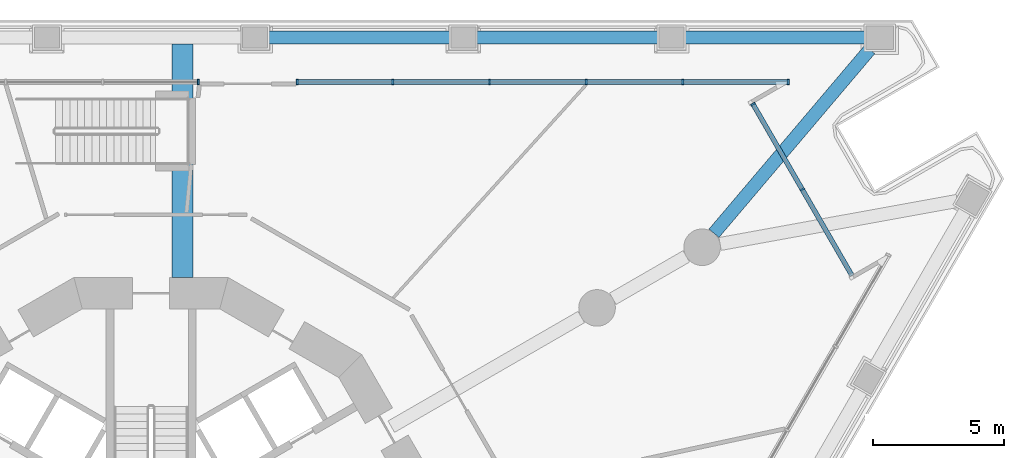
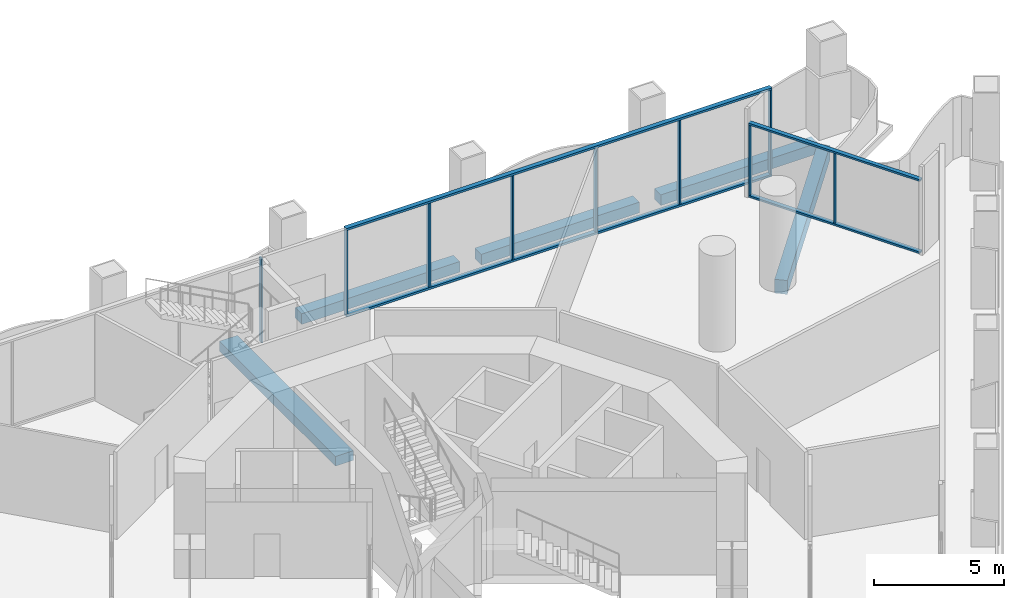
# One storey, part 8 of 21: 13 members, 5 beams, 3 elements without a shape of their own.
"""IFC4 building model written with IfcOpenShell, lengths in metres."""

from ifc_helpers import new_model, si_unit, direction, frame, origin, origin_2d, place, context, subcontext, project, spatial, rectangle, extrude, material, layer, layer_set, material_profile, profile_set, type_object, element, aggregate, save


model = new_model("IFC4")

# Units and contexts
model_context = context("Model", 3, precision=1e-05, world=origin(), true_north=direction((0.0, 1.0)))
body_context = subcontext(model_context, "Body", "Model", "MODEL_VIEW")
ifc_project = project(units=[si_unit("LENGTHUNIT", "METRE"), si_unit("AREAUNIT", "SQUARE_METRE"), si_unit("VOLUMEUNIT", "CUBIC_METRE"), si_unit("PLANEANGLEUNIT", "RADIAN"), si_unit("MASSUNIT", "GRAM", prefix="KILO")], contexts=[model_context])

# Site, building, storey
site_placement = place(None, origin())
site = spatial("IfcSite", under=ifc_project, at=site_placement, CompositionType="ELEMENT")
building_placement = place(site_placement, origin())
building = spatial("IfcBuilding", under=site, at=building_placement, Name="Trine Commons Tower", CompositionType="ELEMENT")
storey_placement = place(building_placement, frame((0.0, 0.0, 9.0)))
storey = spatial("IfcBuildingStorey", under=building, at=storey_placement, Name="L01", CompositionType="ELEMENT", Elevation=9.0)

# Curtain wall, members
ifc_material_1 = material(Name="Corner pocket glazing: anodised aluminium frame with low-emissivity double glazed unit, laminated", Category="aluminium")
ifc_layer_1 = layer(ifc_material_1, 0.179931640625)
ifc_layer_set_1 = layer_set([ifc_layer_1], Name="Corner pocket glazing: anodised aluminium frame with low-emissivity double glazed unit, laminated")
curtain_wall_type_1 = type_object("IfcCurtainWallType", Name="Corner pocket glazing curtain wall CW8", PredefinedType="NOTDEFINED", material=ifc_layer_set_1)
curtain_wall_1_placement = place(storey_placement, origin())
curtain_wall_1 = element("IfcCurtainWall", 1, at=curtain_wall_1_placement, inside=storey, type_object=curtain_wall_type_1, Name="Corner pocket glazing L01 P2.1", PredefinedType="NOTDEFINED")
ifc_material_2 = material(Name="Anodised aluminium, bronze finish", Category="aluminium")
ifc_material_profile_1 = material_profile(ifc_material_2, rectangle(XDim=0.179931640625, YDim=0.06494140625, at=origin_2d()), Name="Mullion 65x180")
ifc_profile_set_1 = profile_set([ifc_material_profile_1], Name="Anodised aluminium, bronze finish")
member_type_1 = type_object("IfcMemberType", Name="Mullion 65x180, Anodised aluminium, bronze finish", PredefinedType="MULLION", material=ifc_profile_set_1)
member_1_placement = place(storey_placement, frame((103.0224609375, 80.142333984375, 0.090087890625), z_axis=(0.0, 0.0, 1.0), x_axis=(0.866025403784, 0.5, 0.0)))
member_1 = element("IfcMember", 2, at=member_1_placement, type_object=member_type_1, Name="CW8 mullion 1.1", PredefinedType="MULLION", context=body_context, shape_type="SweptSolid", body=[
    extrude(rectangle(XDim=0.179931640625, YDim=0.06494140625, at=origin_2d()), origin(), (0.0, 0.0, 1.0), 3.2998046875),
])
member_2_placement = place(storey_placement, frame((104.90625, 76.879638671875, 0.090087890625), z_axis=(0.0, 0.0, 1.0), x_axis=(0.866025403784, 0.5, 0.0)))
member_2 = element("IfcMember", 3, at=member_2_placement, type_object=member_type_1, Name="CW8 mullion 2.1", PredefinedType="MULLION", context=body_context, shape_type="SweptSolid", body=[
    extrude(rectangle(XDim=0.179931640625, YDim=0.06494140625, at=origin_2d()), origin(), (0.0, 0.0, 1.0), 3.2998046875),
])

# Curtain wall, member
ifc_material_3 = material(Name="Podium glazing: anodised aluminium frame with low-emissivity double glazed unit", Category="aluminium")
ifc_layer_2 = layer(ifc_material_3, 0.199951171875)
ifc_layer_set_2 = layer_set([ifc_layer_2], Name="Podium glazing: anodised aluminium frame with low-emissivity double glazed unit")
curtain_wall_type_2 = type_object("IfcCurtainWallType", Name="Podium glazing curtain wall CW3", PredefinedType="NOTDEFINED", material=ifc_layer_set_2)
curtain_wall_2_placement = place(storey_placement, origin())
curtain_wall_2 = element("IfcCurtainWall", 4, at=curtain_wall_2_placement, inside=storey, type_object=curtain_wall_type_2, Name="Podium glazing L01 F1.1", PredefinedType="NOTDEFINED")
ifc_material_profile_2 = material_profile(ifc_material_2, rectangle(XDim=0.199951171875, YDim=0.074951171875, at=origin_2d()), Name="Mullion 75x200")
ifc_profile_set_2 = profile_set([ifc_material_profile_2], Name="Anodised aluminium, bronze finish")
member_type_2 = type_object("IfcMemberType", Name="Mullion 75x200, Anodised aluminium, bronze finish", PredefinedType="MULLION", material=ifc_profile_set_2)
member_3_placement = place(storey_placement, frame((81.811767578125, 80.984619140625, 0.10009765625), z_axis=(0.0, 0.0, 1.0), x_axis=(0.0, 1.0, 0.0)))
member_3 = element("IfcMember", 5, at=member_3_placement, type_object=member_type_2, Name="CW3 mullion 8.1", PredefinedType="MULLION", context=body_context, shape_type="SweptSolid", body=[
    extrude(rectangle(XDim=0.199951171875, YDim=0.074951171875, at=origin_2d()), origin(), (0.0, 0.0, 1.0), 3.949951171875),
])
aggregate(curtain_wall_2, [member_3])

# Curtain wall, members
curtain_wall_3_placement = place(storey_placement, origin())
curtain_wall_3 = element("IfcCurtainWall", 6, at=curtain_wall_3_placement, inside=storey, type_object=curtain_wall_type_2, Name="Podium glazing L01 F1.2", PredefinedType="NOTDEFINED")
member_4_placement = place(storey_placement, frame((85.585693359375, 80.984619140625, 0.10009765625), z_axis=(0.0, 0.0, 1.0), x_axis=(0.0, 1.0, 0.0)))
member_4 = element("IfcMember", 7, at=member_4_placement, type_object=member_type_2, Name="CW3 mullion 1.1", PredefinedType="MULLION", context=body_context, shape_type="SweptSolid", body=[
    extrude(rectangle(XDim=0.199951171875, YDim=0.074951171875, at=origin_2d()), origin(), (0.0, 0.0, 1.0), 3.949951171875),
])
member_5_placement = place(storey_placement, frame((89.2470703125, 80.984619140625, 0.10009765625), z_axis=(0.0, 0.0, 1.0), x_axis=(0.0, 1.0, 0.0)))
member_5 = element("IfcMember", 8, at=member_5_placement, type_object=member_type_2, Name="CW3 mullion 2.1", PredefinedType="MULLION", context=body_context, shape_type="SweptSolid", body=[
    extrude(rectangle(XDim=0.199951171875, YDim=0.074951171875, at=origin_2d()), origin(), (0.0, 0.0, 1.0), 3.949951171875),
])
member_6_placement = place(storey_placement, frame((92.94580078125, 80.984619140625, 0.10009765625), z_axis=(0.0, 0.0, 1.0), x_axis=(0.0, 1.0, 0.0)))
member_6 = element("IfcMember", 9, at=member_6_placement, type_object=member_type_2, Name="CW3 mullion 3.1", PredefinedType="MULLION", context=body_context, shape_type="SweptSolid", body=[
    extrude(rectangle(XDim=0.199951171875, YDim=0.074951171875, at=origin_2d()), origin(), (0.0, 0.0, 1.0), 3.949951171875),
])
member_7_placement = place(storey_placement, frame((96.644775390625, 80.984619140625, 0.10009765625), z_axis=(0.0, 0.0, 1.0), x_axis=(0.0, 1.0, 0.0)))
member_7 = element("IfcMember", 10, at=member_7_placement, type_object=member_type_2, Name="CW3 mullion 4.1", PredefinedType="MULLION", context=body_context, shape_type="SweptSolid", body=[
    extrude(rectangle(XDim=0.199951171875, YDim=0.074951171875, at=origin_2d()), origin(), (0.0, 0.0, 1.0), 3.949951171875),
])
member_8_placement = place(storey_placement, frame((100.34375, 80.984619140625, 0.10009765625), z_axis=(0.0, 0.0, 1.0), x_axis=(0.0, 1.0, 0.0)))
member_8 = element("IfcMember", 11, at=member_8_placement, type_object=member_type_2, Name="CW3 mullion 5.1", PredefinedType="MULLION", context=body_context, shape_type="SweptSolid", body=[
    extrude(rectangle(XDim=0.199951171875, YDim=0.074951171875, at=origin_2d()), origin(), (0.0, 0.0, 1.0), 3.949951171875),
])
member_9_placement = place(storey_placement, frame((104.37890625, 80.984619140625, 0.10009765625), z_axis=(0.0, 0.0, 1.0), x_axis=(0.0, 1.0, 0.0)))
member_9 = element("IfcMember", 12, at=member_9_placement, type_object=member_type_2, Name="CW3 mullion 6.1", PredefinedType="MULLION", context=body_context, shape_type="SweptSolid", body=[
    extrude(rectangle(XDim=0.199951171875, YDim=0.074951171875, at=origin_2d()), origin(), (0.0, 0.0, 1.0), 3.949951171875),
])

# Beams
ifc_material_4 = material(Name="Concrete C50/60", Category="concrete")
ifc_material_profile_3 = material_profile(ifc_material_4, rectangle(XDim=0.5, YDim=0.5, at=origin_2d()), Name="RC 500x500")
ifc_profile_set_3 = profile_set([ifc_material_profile_3], Name="Concrete C50/60")
beam_type_1 = type_object("IfcBeamType", Name="RC beam 500x500, C50/60", PredefinedType="BEAM", material=ifc_profile_set_3)
beam_1_placement = place(storey_placement, frame((84.456787109375, 82.6845703125, -0.64990234375), z_axis=(1.0, 0.0, 0.0), x_axis=(0.0, 1.0, 0.0)))
element("IfcBeam", 13, at=beam_1_placement, inside=storey, type_object=beam_type_1, Name="Beam EB1-12 L01", PredefinedType="BEAM", context=body_context, shape_type="SweptSolid", body=[
    extrude(rectangle(XDim=0.5, YDim=0.5, at=origin_2d()), origin(), (0.0, 0.0, 1.0), 7.013427734375),
])
beam_2_placement = place(storey_placement, frame((92.420166015625, 82.6845703125, -0.64990234375), z_axis=(1.0, 0.0, 0.0), x_axis=(0.0, 1.0, 0.0)))
element("IfcBeam", 14, at=beam_2_placement, inside=storey, type_object=beam_type_1, Name="Beam EB1-13 L01", PredefinedType="BEAM", context=body_context, shape_type="SweptSolid", body=[
    extrude(rectangle(XDim=0.5, YDim=0.5, at=origin_2d()), origin(), (0.0, 0.0, 1.0), 7.01318359375),
])
beam_3_placement = place(storey_placement, frame((100.38330078125, 82.6845703125, -0.64990234375), z_axis=(1.0, 0.0, 0.0), x_axis=(0.0, 1.0, 0.0)))
element("IfcBeam", 15, at=beam_3_placement, inside=storey, type_object=beam_type_1, Name="Beam EB1-14 L01", PredefinedType="BEAM", context=body_context, shape_type="SweptSolid", body=[
    extrude(rectangle(XDim=0.5, YDim=0.5, at=origin_2d()), origin(), (0.0, 0.0, 1.0), 6.96337890625),
])
ifc_material_profile_4 = material_profile(ifc_material_4, rectangle(XDim=0.5, YDim=0.64990234375, at=origin_2d()), Name="RC 500x650")
ifc_profile_set_4 = profile_set([ifc_material_profile_4], Name="Concrete C50/60")
beam_type_2 = type_object("IfcBeamType", Name="RC beam 500x650, C50/60", PredefinedType="BEAM", material=ifc_profile_set_4)
beam_4_placement = place(storey_placement, frame((107.490478515625, 82.234619140625, -0.72509765625), z_axis=(-0.646611559024, -0.762819435867, 0.0), x_axis=(0.762819435867, -0.646611559024, 0.0)))
element("IfcBeam", 16, at=beam_4_placement, inside=storey, type_object=beam_type_2, Name="Beam CB1-03 L01", PredefinedType="BEAM", context=body_context, shape_type="SweptSolid", body=[
    extrude(rectangle(XDim=0.5, YDim=0.64990234375, at=origin_2d()), origin(), (0.0, 0.0, 1.0), 9.21875),
])
ifc_material_profile_5 = material_profile(ifc_material_4, rectangle(XDim=0.800048828125, YDim=0.449951171875, at=origin_2d()), Name="RC 800x450")
ifc_profile_set_5 = profile_set([ifc_material_profile_5], Name="Concrete C50/60")
beam_type_3 = type_object("IfcBeamType", Name="RC beam 800x450, C50/60", PredefinedType="BEAM", material=ifc_profile_set_5)
beam_5_placement = place(storey_placement, frame((81.199951171875, 73.51171875, -0.625), z_axis=(0.0, 1.0, 0.0), x_axis=(-1.0, 0.0, 0.0)))
element("IfcBeam", 17, at=beam_5_placement, inside=storey, type_object=beam_type_3, Name="Beam PSB1 L01", PredefinedType="BEAM", context=body_context, shape_type="SweptSolid", body=[
    extrude(rectangle(XDim=0.800048828125, YDim=0.449951171875, at=origin_2d()), origin(), (0.0, 0.0, 1.0), 8.9228515625),
])

# Member
ifc_material_profile_6 = material_profile(ifc_material_2, rectangle(XDim=0.199951171875, YDim=0.10009765625, at=origin_2d()), Name="Transom 100x200")
ifc_profile_set_6 = profile_set([ifc_material_profile_6], Name="Anodised aluminium, bronze finish")
member_type_3 = type_object("IfcMemberType", Name="Transom 100x200, Anodised aluminium, bronze finish", PredefinedType="USERDEFINED", material=ifc_profile_set_6)
member_10_placement = place(storey_placement, frame((85.548095703125, 80.984619140625, 0.050048828125), z_axis=(1.0, 0.0, 0.0), x_axis=(0.0, 1.0, 0.0)))
member_10 = element("IfcMember", 18, at=member_10_placement, type_object=member_type_3, Name="CW3 transom T00", ObjectType="TRANSOM", PredefinedType="USERDEFINED", context=body_context, shape_type="SweptSolid", body=[
    extrude(rectangle(XDim=0.199951171875, YDim=0.10009765625, at=origin_2d()), origin(), (0.0, 0.0, 1.0), 18.8681640625),
])

member_11_placement = place(storey_placement, frame((85.548095703125, 80.984619140625, 4.10009765625), z_axis=(1.0, 0.0, 0.0), x_axis=(0.0, 1.0, 0.0)))
member_11 = element("IfcMember", 19, at=member_11_placement, type_object=member_type_3, Name="CW3 transom TH00", ObjectType="TRANSOM", PredefinedType="USERDEFINED", context=body_context, shape_type="SweptSolid", body=[
    extrude(rectangle(XDim=0.199951171875, YDim=0.10009765625, at=origin_2d()), origin(), (0.0, 0.0, 1.0), 18.8681640625),
])

aggregate(curtain_wall_3, [member_10, member_11, member_4, member_5, member_6, member_7, member_8, member_9])

ifc_material_profile_7 = material_profile(ifc_material_2, rectangle(XDim=0.179931640625, YDim=0.090087890625, at=origin_2d()), Name="Transom 90x180")
ifc_profile_set_7 = profile_set([ifc_material_profile_7], Name="Anodised aluminium, bronze finish")
member_type_4 = type_object("IfcMemberType", Name="Transom 90x180, Anodised aluminium, bronze finish", PredefinedType="USERDEFINED", material=ifc_profile_set_7)
member_12_placement = place(storey_placement, frame((103.006103515625, 80.17041015625, 0.044921875), z_axis=(0.500005158081, -0.866022425744, 0.0), x_axis=(0.866022425744, 0.500005158081, 0.0)))
member_12 = element("IfcMember", 20, at=member_12_placement, type_object=member_type_4, Name="CW8 transom T00", ObjectType="TRANSOM", PredefinedType="USERDEFINED", context=body_context, shape_type="SweptSolid", body=[
    extrude(rectangle(XDim=0.179931640625, YDim=0.090087890625, at=origin_2d()), origin(), (0.0, 0.0, 1.0), 7.60009765625),
])

member_13_placement = place(storey_placement, frame((103.006103515625, 80.17041015625, 3.43505859375), z_axis=(0.500005158081, -0.866022425744, 0.0), x_axis=(0.866022425744, 0.500005158081, 0.0)))
member_13 = element("IfcMember", 21, at=member_13_placement, type_object=member_type_4, Name="CW8 transom TH00", ObjectType="TRANSOM", PredefinedType="USERDEFINED", context=body_context, shape_type="SweptSolid", body=[
    extrude(rectangle(XDim=0.179931640625, YDim=0.090087890625, at=origin_2d()), origin(), (0.0, 0.0, 1.0), 7.60009765625),
])

aggregate(curtain_wall_1, [member_12, member_13, member_1, member_2])

save(model, "model.ifc")
